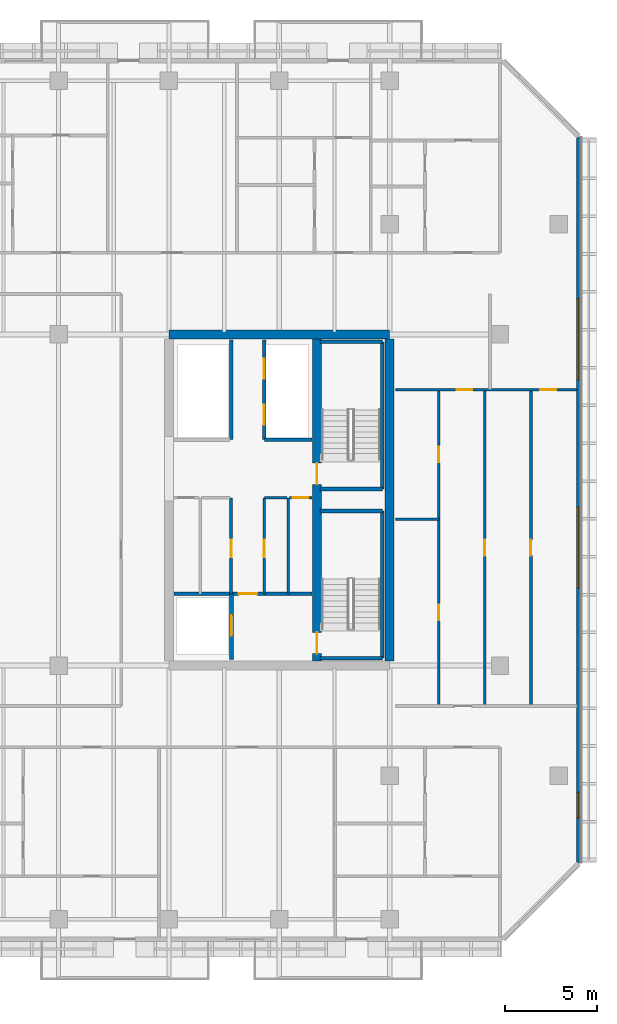
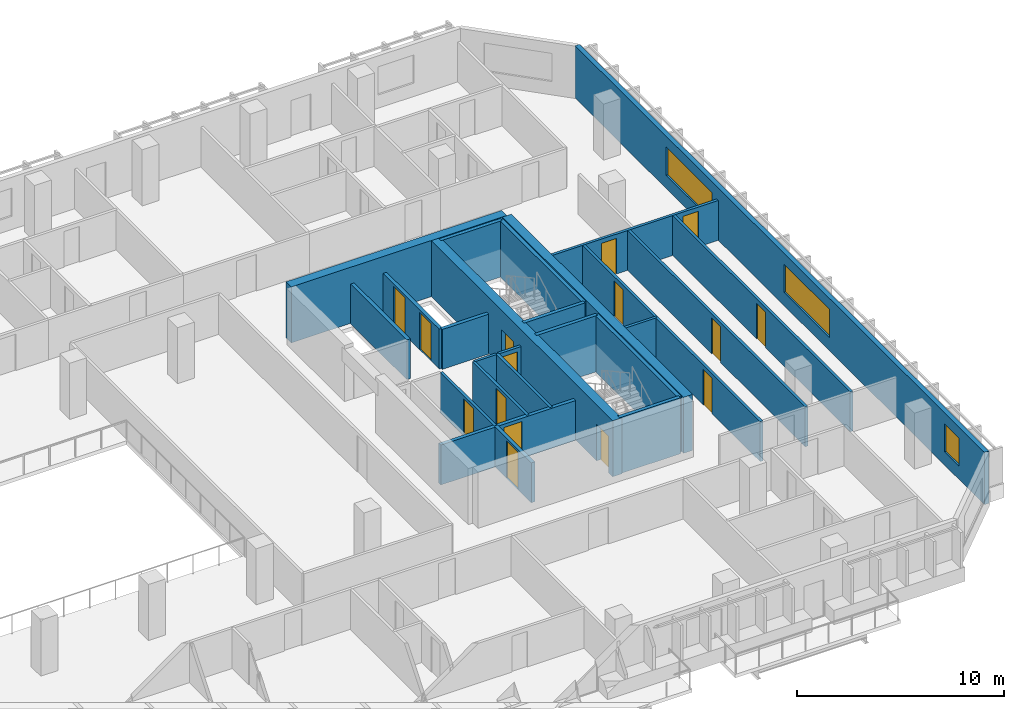
# One storey, part 15 of 23: 25 walls, 15 doors, 3 windows, 18 openings.
"""IFC4 building model written with IfcOpenShell, lengths in metres."""

from ifc_helpers import new_model, si_unit, direction, frame, frame_2d, origin, place, context, subcontext, project, spatial, rectangle, extrude, material, layer, layer_set, type_object, element, fill, save


model = new_model("IFC4")

# Units and contexts
model_context = context("Model", 3, precision=1e-05, world=origin(), true_north=direction((0.0, 1.0)))
body_context = subcontext(model_context, "Body", "Model", "MODEL_VIEW")
ifc_project = project(units=[si_unit("LENGTHUNIT", "METRE"), si_unit("AREAUNIT", "SQUARE_METRE"), si_unit("VOLUMEUNIT", "CUBIC_METRE"), si_unit("PLANEANGLEUNIT", "RADIAN"), si_unit("MASSUNIT", "GRAM", prefix="KILO")], contexts=[model_context])

# Site, building, storey
site_placement = place(None, origin())
site = spatial("IfcSite", under=ifc_project, at=site_placement, CompositionType="ELEMENT")
building_placement = place(site_placement, origin())
building = spatial("IfcBuilding", under=site, at=building_placement, Name="Tanjung Sevakor Pilgrim Tower", CompositionType="ELEMENT")
storey_placement = place(building_placement, frame((0.0, 0.0, 105.27001953125)))
storey = spatial("IfcBuildingStorey", under=building, at=storey_placement, Name="L29", CompositionType="ELEMENT", Elevation=105.27001953125)

# Walls
ifc_material_1 = material(Name="Concrete C60/75", Category="concrete")
ifc_layer_1 = layer(ifc_material_1, 0.5)
ifc_layer_set_1 = layer_set([ifc_layer_1], Name="WALL-CW-500")
wall_type_1 = type_object("IfcWallType", Name="WALL-CW-500", PredefinedType="SHEAR", material=ifc_layer_set_1)
wall_1_placement = place(storey_placement, frame((90.0, 42.60009765625, 0.0), z_axis=(0.0, 0.0, 1.0), x_axis=(-1.0, 0.0, 0.0)))
element("IfcWall", 1, at=wall_1_placement, inside=storey, type_object=wall_type_1, Name="L29 E Core North Shear Wall", PredefinedType="SHEAR", context=body_context, shape_type="SweptSolid", body=[
    extrude(rectangle(XDim=12.0, YDim=0.5, at=frame_2d((6.0, 0.0))), origin(), (0.0, 0.0, 1.0), 3.300048828125),
])
wall_2_placement = place(storey_placement, frame((90.0, 24.85009765625, 0.0), z_axis=(0.0, 0.0, 1.0), x_axis=(0.0, 1.0, 0.0)))
element("IfcWall", 2, at=wall_2_placement, inside=storey, type_object=wall_type_1, Name="L29 E Core Outer Shear Wall", PredefinedType="SHEAR", context=body_context, shape_type="SweptSolid", body=[
    extrude(rectangle(XDim=17.5, YDim=0.5, at=frame_2d((8.75, 0.0))), origin(), (0.0, 0.0, 1.0), 3.300048828125),
])

# Wall, openings, doors
wall_3_placement = place(storey_placement, frame((86.050048828125, 24.85009765625, 0.0), z_axis=(0.0, 0.0, 1.0), x_axis=(0.0, 1.0, 0.0)))
wall_3 = element("IfcWall", 3, at=wall_3_placement, inside=storey, type_object=wall_type_1, Name="L29 E Core Stair Spine Wall", PredefinedType="SHEAR", context=body_context, shape_type="SweptSolid", body=[
    extrude(rectangle(XDim=17.5, YDim=0.5, at=frame_2d((8.75, 0.0))), origin(), (0.0, 0.0, 1.0), 3.300048828125),
])
opening_1_placement = place(wall_3_placement, frame((0.39990234375, 0.0, 0.0)))
opening_1 = element("IfcOpeningElement", 4, at=opening_1_placement, cuts=wall_3, Name="Opening ID-ST1", PredefinedType="OPENING", context=body_context, shape_type="SweptSolid", body=[
    extrude(rectangle(XDim=1.14990234375, YDim=2.14990234375, at=frame_2d((0.574951171875, 1.074951171875))), frame((0.0, 0.260009765625, 0.0), z_axis=(0.0, -1.0, 0.0), x_axis=(1.0, 0.0, 0.0)), (0.0, 0.0, 1.0), 0.52001953125),
])
opening_2_placement = place(wall_3_placement, frame((9.60009765625, 0.0, 0.0)))
opening_2 = element("IfcOpeningElement", 5, at=opening_2_placement, cuts=wall_3, Name="Opening ID-ST1", PredefinedType="OPENING", context=body_context, shape_type="SweptSolid", body=[
    extrude(rectangle(XDim=1.14990234375, YDim=2.14990234375, at=frame_2d((0.574951171875, 1.074951171875))), frame((0.0, 0.260009765625, 0.0), z_axis=(0.0, -1.0, 0.0), x_axis=(1.0, 0.0, 0.0)), (0.0, 0.0, 1.0), 0.52001953125),
])
ifc_material_2 = material(Name="Fire-Rated Steel S355J2", Category="steel")
door_type_1 = type_object("IfcDoorType", Name="DT-FIRE-1150", OperationType="NOTDEFINED", PredefinedType="DOOR", material=ifc_material_2)
door_1_placement = place(opening_1_placement, origin())
door_1 = element("IfcDoor", 6, at=door_1_placement, inside=storey, type_object=door_type_1, Name="L29 TS-E1 Stair Fire Door", OperationType="SINGLE_SWING_RIGHT", OverallHeight=2.14990234375, OverallWidth=1.14990234375, PredefinedType="DOOR", context=body_context, shape_type="SweptSolid", body=[
    extrude(rectangle(XDim=1.14990234375, YDim=2.14990234375, at=frame_2d((0.574951171875, 1.074951171875))), frame((0.0, 0.02490234375, 0.0), z_axis=(0.0, -1.0, 0.0), x_axis=(1.0, 0.0, 0.0)), (0.0, 0.0, 1.0), 0.050048828125),
])
fill(opening_1, door_1)
door_2_placement = place(opening_2_placement, origin())
door_2 = element("IfcDoor", 7, at=door_2_placement, inside=storey, type_object=door_type_1, Name="L29 TS-E2 Stair Fire Door", OperationType="SINGLE_SWING_LEFT", OverallHeight=2.14990234375, OverallWidth=1.14990234375, PredefinedType="DOOR", context=body_context, shape_type="SweptSolid", body=[
    extrude(rectangle(XDim=1.14990234375, YDim=2.14990234375, at=frame_2d((0.574951171875, 1.074951171875))), frame((0.0, 0.02490234375, 0.0), z_axis=(0.0, -1.0, 0.0), x_axis=(1.0, 0.0, 0.0)), (0.0, 0.0, 1.0), 0.050048828125),
])
fill(opening_2, door_2)

# Wall
ifc_material_3 = material(Name="Concrete C40/50", Category="concrete")
ifc_layer_2 = layer(ifc_material_3, 0.14990234375)
ifc_layer_set_2 = layer_set([ifc_layer_2], Name="WT-COMP-150")
wall_type_2 = type_object("IfcWallType", Name="WT-COMP-150", PredefinedType="SOLIDWALL", material=ifc_layer_set_2)
wall_4_placement = place(storey_placement, frame((84.47998046875, 28.5, 0.0), z_axis=(0.0, 0.0, 1.0), x_axis=(0.0, 1.0, 0.0)))
element("IfcWall", 8, at=wall_4_placement, inside=storey, type_object=wall_type_2, Name="L29 Partition IW-L29-017", PredefinedType="SOLIDWALL", context=body_context, shape_type="SweptSolid", body=[
    extrude(rectangle(XDim=5.219970703125, YDim=0.14990234375, at=frame_2d((2.60986328125, 0.0))), origin(), (0.0, 0.0, 1.0), 2.35009765625),
])

# Wall, opening, door
wall_5_placement = place(storey_placement, frame((84.550048828125, 33.719970703125, 0.0), z_axis=(0.0, 0.0, 1.0), x_axis=(1.0, 0.0, 0.0)))
wall_5 = element("IfcWall", 9, at=wall_5_placement, inside=storey, type_object=wall_type_2, Name="L29 Partition IW-L29-018", PredefinedType="SOLIDWALL", context=body_context, shape_type="SweptSolid", body=[
    extrude(rectangle(XDim=1.22998046875, YDim=0.14990234375, at=frame_2d((0.614990234375, 0.0))), origin(), (0.0, 0.0, 1.0), 2.35009765625),
])
opening_3_placement = place(wall_5_placement, frame((0.179931640625, 0.0, 0.0)))
opening_3 = element("IfcOpeningElement", 10, at=opening_3_placement, cuts=wall_5, Name="Opening ID-FD3", PredefinedType="OPENING", context=body_context, shape_type="SweptSolid", body=[
    extrude(rectangle(XDim=0.85009765625, YDim=2.10009765625, at=frame_2d((0.425048828125, 1.050048828125))), frame((0.0, 0.0849609375, 0.0), z_axis=(0.0, -1.0, 0.0), x_axis=(1.0, 0.0, 0.0)), (0.0, 0.0, 1.0), 0.169921875),
])
ifc_material_4 = material(Name="Fire-Rated Timber", Category="wood")
door_type_2 = type_object("IfcDoorType", Name="DT-FIRE-850", OperationType="NOTDEFINED", PredefinedType="DOOR", material=ifc_material_4)
door_3_placement = place(opening_3_placement, origin())
door_3 = element("IfcDoor", 11, at=door_3_placement, inside=storey, type_object=door_type_2, Name="L29 Cleaner Store Door", OperationType="SINGLE_SWING_LEFT", OverallHeight=2.10009765625, OverallWidth=0.85009765625, PredefinedType="DOOR", context=body_context, shape_type="SweptSolid", body=[
    extrude(rectangle(XDim=0.85009765625, YDim=2.10009765625, at=frame_2d((0.425048828125, 1.050048828125))), frame((0.0, 0.02490234375, 0.0), z_axis=(0.0, -1.0, 0.0), x_axis=(1.0, 0.0, 0.0)), (0.0, 0.0, 1.0), 0.050048828125),
])
fill(opening_3, door_3)

# Wall
wall_6_placement = place(storey_placement, frame((83.199951171875, 33.719970703125, 0.0), z_axis=(0.0, 0.0, 1.0), x_axis=(1.0, 0.0, 0.0)))
element("IfcWall", 12, at=wall_6_placement, inside=storey, type_object=wall_type_2, Name="L29 Partition IW-L29-019", PredefinedType="SOLIDWALL", context=body_context, shape_type="SweptSolid", body=[
    extrude(rectangle(XDim=1.219970703125, YDim=0.14990234375, at=frame_2d((0.60986328125, 0.0))), origin(), (0.0, 0.0, 1.0), 2.35009765625),
])

# Wall, opening, door
wall_7_placement = place(storey_placement, frame((83.179931640625, 28.5, 0.0), z_axis=(0.0, 0.0, 1.0), x_axis=(0.0, 1.0, 0.0)))
wall_7 = element("IfcWall", 13, at=wall_7_placement, inside=storey, type_object=wall_type_2, Name="L29 Partition IW-L29-020", PredefinedType="SOLIDWALL", context=body_context, shape_type="SweptSolid", body=[
    extrude(rectangle(XDim=5.219970703125, YDim=0.14990234375, at=frame_2d((2.60986328125, 0.0))), origin(), (0.0, 0.0, 1.0), 2.35009765625),
])
opening_4_placement = place(wall_7_placement, frame((2.0, 0.0, 0.0)))
opening_4 = element("IfcOpeningElement", 14, at=opening_4_placement, cuts=wall_7, Name="Opening ID-FD2", PredefinedType="OPENING", context=body_context, shape_type="SweptSolid", body=[
    extrude(rectangle(XDim=0.949951171875, YDim=2.14990234375, at=frame_2d((0.47509765625, 1.074951171875))), frame((0.0, 0.0849609375, 0.0), z_axis=(0.0, -1.0, 0.0), x_axis=(1.0, 0.0, 0.0)), (0.0, 0.0, 1.0), 0.169921875),
])
ifc_material_5 = material(Name="Fire-Rated Timber", Category="wood")
door_type_3 = type_object("IfcDoorType", Name="DT-FIRE-950", OperationType="NOTDEFINED", PredefinedType="DOOR", material=ifc_material_5)
door_4_placement = place(opening_4_placement, origin())
door_4 = element("IfcDoor", 15, at=door_4_placement, inside=storey, type_object=door_type_3, Name="L29 Housekeeping Pantry Door", OperationType="SINGLE_SWING_RIGHT", OverallHeight=2.14990234375, OverallWidth=0.949951171875, PredefinedType="DOOR", context=body_context, shape_type="SweptSolid", body=[
    extrude(rectangle(XDim=0.949951171875, YDim=2.14990234375, at=frame_2d((0.47509765625, 1.074951171875))), frame((0.0, 0.02490234375, 0.0), z_axis=(0.0, -1.0, 0.0), x_axis=(1.0, 0.0, 0.0)), (0.0, 0.0, 1.0), 0.050048828125),
])
fill(opening_4, door_4)

wall_8_placement = place(storey_placement, frame((81.3798828125, 28.5, 0.0), z_axis=(0.0, 0.0, 1.0), x_axis=(0.0, 1.0, 0.0)))
wall_8 = element("IfcWall", 16, at=wall_8_placement, inside=storey, type_object=wall_type_2, Name="L29 Partition IW-L29-024", PredefinedType="SOLIDWALL", context=body_context, shape_type="SweptSolid", body=[
    extrude(rectangle(XDim=5.219970703125, YDim=0.14990234375, at=frame_2d((2.60986328125, 0.0))), origin(), (0.0, 0.0, 1.0), 2.35009765625),
])
opening_5_placement = place(wall_8_placement, frame((2.0, 0.0, 0.0)))
opening_5 = element("IfcOpeningElement", 17, at=opening_5_placement, cuts=wall_8, Name="Opening ID-FD2", PredefinedType="OPENING", context=body_context, shape_type="SweptSolid", body=[
    extrude(rectangle(XDim=0.949951171875, YDim=2.14990234375, at=frame_2d((0.47509765625, 1.074951171875))), frame((0.0, 0.0849609375, 0.0), z_axis=(0.0, -1.0, 0.0), x_axis=(1.0, 0.0, 0.0)), (0.0, 0.0, 1.0), 0.169921875),
])
door_5_placement = place(opening_5_placement, origin())
door_5 = element("IfcDoor", 18, at=door_5_placement, inside=storey, type_object=door_type_3, Name="L29 Accessible WC Door", OperationType="SINGLE_SWING_RIGHT", OverallHeight=2.14990234375, OverallWidth=0.949951171875, PredefinedType="DOOR", context=body_context, shape_type="SweptSolid", body=[
    extrude(rectangle(XDim=0.949951171875, YDim=2.14990234375, at=frame_2d((0.47509765625, 1.074951171875))), frame((0.0, 0.02490234375, 0.0), z_axis=(0.0, -1.0, 0.0), x_axis=(1.0, 0.0, 0.0)), (0.0, 0.0, 1.0), 0.050048828125),
])
fill(opening_5, door_5)

# Wall, openings, windows
ifc_material_6 = material(Name="Precast concrete C45/55", Category="concrete")
ifc_layer_3 = layer(ifc_material_6, 0.25)
ifc_layer_set_3 = layer_set([ifc_layer_3], Name="WT-EW-STN3")
wall_type_3 = type_object("IfcWallType", Name="WT-EW-STN3", PredefinedType="SOLIDWALL", material=ifc_layer_set_3)
wall_9_placement = place(storey_placement, frame((100.27490234375, 13.851806640625, 0.0), z_axis=(0.0, 0.0, 1.0), x_axis=(0.0, 1.0, 0.0)))
wall_9 = element("IfcWall", 19, at=wall_9_placement, inside=storey, type_object=wall_type_3, Name="L29 MAIN Exterior Wall 7", PredefinedType="SOLIDWALL", context=body_context, shape_type="SweptSolid", body=[
    extrude(rectangle(XDim=39.496337890625, YDim=0.25, at=frame_2d((19.748046875, 0.0))), origin(), (0.0, 0.0, 1.0), 3.080078125),
])
opening_6_placement = place(wall_9_placement, frame((14.958251953125, 0.0, 0.780029296875)))
opening_6 = element("IfcOpeningElement", 20, at=opening_6_placement, cuts=wall_9, Name="Opening WN-ENDW-1660", PredefinedType="OPENING", context=body_context, shape_type="SweptSolid", body=[
    extrude(rectangle(XDim=4.39990234375, YDim=1.659912109375, at=frame_2d((2.199951171875, 0.830078125))), frame((0.0, 0.135009765625, 0.0), z_axis=(0.0, -1.0, 0.0), x_axis=(1.0, 0.0, 0.0)), (0.0, 0.0, 1.0), 0.27001953125),
])
opening_7_placement = place(wall_9_placement, frame((26.298095703125, 0.0, 0.780029296875)))
opening_7 = element("IfcOpeningElement", 21, at=opening_7_placement, cuts=wall_9, Name="Opening WN-ENDW-1660", PredefinedType="OPENING", context=body_context, shape_type="SweptSolid", body=[
    extrude(rectangle(XDim=4.39990234375, YDim=1.659912109375, at=frame_2d((2.199951171875, 0.830078125))), frame((0.0, 0.135009765625, 0.0), z_axis=(0.0, -1.0, 0.0), x_axis=(1.0, 0.0, 0.0)), (0.0, 0.0, 1.0), 0.27001953125),
])
opening_8_placement = place(wall_9_placement, frame((2.4541015625, 0.0, 0.780029296875)))
opening_8 = element("IfcOpeningElement", 22, at=opening_8_placement, cuts=wall_9, Name="Opening WN-END", PredefinedType="OPENING", context=body_context, shape_type="SweptSolid", body=[
    extrude(rectangle(XDim=1.39990234375, YDim=1.64990234375, at=frame_2d((0.699951171875, 0.824951171875))), frame((0.0, 0.135009765625, 0.0), z_axis=(0.0, -1.0, 0.0), x_axis=(1.0, 0.0, 0.0)), (0.0, 0.0, 1.0), 0.27001953125),
])
ifc_material_7 = material(Name="Thermally Broken Aluminium and Low-E Glass", Category="aluminium")
window_type_1 = type_object("IfcWindowType", Name="WTYP-WN-END", PartitioningType="SINGLE_PANEL", PredefinedType="WINDOW", material=ifc_material_7)
window_1_placement = place(opening_8_placement, origin())
window_1 = element("IfcWindow", 23, at=window_1_placement, inside=storey, type_object=window_type_1, Name="L29 Facade Window 03", OverallHeight=1.64990234375, OverallWidth=1.39990234375, PartitioningType="SINGLE_PANEL", PredefinedType="WINDOW", context=body_context, shape_type="SweptSolid", body=[
    extrude(rectangle(XDim=1.39990234375, YDim=1.64990234375, at=frame_2d((0.699951171875, 0.824951171875))), frame((0.0, 0.030029296875, 0.0), z_axis=(0.0, -1.0, 0.0), x_axis=(1.0, 0.0, 0.0)), (0.0, 0.0, 1.0), 0.06005859375),
])
fill(opening_8, window_1)
ifc_material_8 = material(Name="Thermally Broken Aluminium and Low-E Glass", Category="aluminium")
window_type_2 = type_object("IfcWindowType", Name="WTYP-WN-ENDW-1660", PartitioningType="DOUBLE_PANEL_VERTICAL", PredefinedType="WINDOW", material=ifc_material_8)
window_2_placement = place(opening_6_placement, origin())
window_2 = element("IfcWindow", 24, at=window_2_placement, inside=storey, type_object=window_type_2, Name="L29 Facade Window 01", OverallHeight=1.659912109375, OverallWidth=4.39990234375, PartitioningType="SINGLE_PANEL", PredefinedType="WINDOW", context=body_context, shape_type="SweptSolid", body=[
    extrude(rectangle(XDim=4.39990234375, YDim=1.659912109375, at=frame_2d((2.199951171875, 0.830078125))), frame((0.0, 0.030029296875, 0.0), z_axis=(0.0, -1.0, 0.0), x_axis=(1.0, 0.0, 0.0)), (0.0, 0.0, 1.0), 0.06005859375),
])
fill(opening_6, window_2)
window_3_placement = place(opening_7_placement, origin())
window_3 = element("IfcWindow", 25, at=window_3_placement, inside=storey, type_object=window_type_2, Name="L29 Facade Window 02", OverallHeight=1.659912109375, OverallWidth=4.39990234375, PartitioningType="SINGLE_PANEL", PredefinedType="WINDOW", context=body_context, shape_type="SweptSolid", body=[
    extrude(rectangle(XDim=4.39990234375, YDim=1.659912109375, at=frame_2d((2.199951171875, 0.830078125))), frame((0.0, 0.030029296875, 0.0), z_axis=(0.0, -1.0, 0.0), x_axis=(1.0, 0.0, 0.0)), (0.0, 0.0, 1.0), 0.06005859375),
])
fill(opening_7, window_3)

# Walls
ifc_material_9 = material(Name="Concrete C40/50", Category="concrete")
ifc_layer_4 = layer(ifc_material_9, 0.199951171875)
ifc_layer_set_4 = layer_set([ifc_layer_4], Name="WT-FIRE-200")
wall_type_4 = type_object("IfcWallType", Name="WT-FIRE-200", PredefinedType="SOLIDWALL", material=ifc_layer_set_4)
wall_10_placement = place(storey_placement, frame((86.199951171875, 25.0, 0.0), z_axis=(0.0, 0.0, 1.0), x_axis=(1.0, 0.0, 0.0)))
element("IfcWall", 26, at=wall_10_placement, inside=storey, type_object=wall_type_4, Name="L29 TS-E1 Shaft Wall 1", PredefinedType="SOLIDWALL", context=body_context, shape_type="SweptSolid", body=[
    extrude(rectangle(XDim=3.400146484375, YDim=0.199951171875, at=frame_2d((1.7001953125, 0.0))), origin(), (0.0, 0.0, 1.0), 3.300048828125),
])
wall_11_placement = place(storey_placement, frame((89.60009765625, 25.0, 0.0), z_axis=(0.0, 0.0, 1.0), x_axis=(0.0, 1.0, 0.0)))
element("IfcWall", 27, at=wall_11_placement, inside=storey, type_object=wall_type_4, Name="L29 TS-E1 Shaft Wall 2", PredefinedType="SOLIDWALL", context=body_context, shape_type="SweptSolid", body=[
    extrude(rectangle(XDim=8.0, YDim=0.199951171875, at=frame_2d((4.0, 0.0))), origin(), (0.0, 0.0, 1.0), 3.300048828125),
])
for number, where, z_axis, x_axis, name in (
    (28, (89.60009765625, 33.0, 0.0), (0.0, 0.0, 1.0), (-1.0, 0.0, 0.0), "L29 TS-E1 Shaft Wall 3"),
    (29, (86.199951171875, 34.199951171875, 0.0), (0.0, 0.0, 1.0), (1.0, 0.0, 0.0), "L29 TS-E2 Shaft Wall 1"),
):
    element("IfcWall", number, at=place(storey_placement, frame(where, z_axis=z_axis, x_axis=x_axis)), inside=storey, type_object=wall_type_4, Name=name, PredefinedType="SOLIDWALL", context=body_context, shape_type="SweptSolid", body=[
        extrude(rectangle(XDim=3.400146484375, YDim=0.199951171875, at=frame_2d((1.7001953125, 0.0))), origin(), (0.0, 0.0, 1.0), 3.300048828125),
    ])
wall_12_placement = place(storey_placement, frame((89.60009765625, 34.199951171875, 0.0), z_axis=(0.0, 0.0, 1.0), x_axis=(0.0, 1.0, 0.0)))
element("IfcWall", 30, at=wall_12_placement, inside=storey, type_object=wall_type_4, Name="L29 TS-E2 Shaft Wall 2", PredefinedType="SOLIDWALL", context=body_context, shape_type="SweptSolid", body=[
    extrude(rectangle(XDim=8.0, YDim=0.199951171875, at=frame_2d((4.0, 0.0))), origin(), (0.0, 0.0, 1.0), 3.300048828125),
])
wall_13_placement = place(storey_placement, frame((89.60009765625, 42.199951171875, 0.0), z_axis=(0.0, 0.0, 1.0), x_axis=(-1.0, 0.0, 0.0)))
element("IfcWall", 31, at=wall_13_placement, inside=storey, type_object=wall_type_4, Name="L29 TS-E2 Shaft Wall 3", PredefinedType="SOLIDWALL", context=body_context, shape_type="SweptSolid", body=[
    extrude(rectangle(XDim=3.400146484375, YDim=0.199951171875, at=frame_2d((1.7001953125, 0.0))), origin(), (0.0, 0.0, 1.0), 3.300048828125),
])

# Wall, opening, door
ifc_material_10 = material(Name="Concrete C40/50", Category="concrete")
ifc_layer_5 = layer(ifc_material_10, 0.199951171875)
ifc_layer_set_5 = layer_set([ifc_layer_5], Name="WT-FPRT-200")
wall_type_5 = type_object("IfcWallType", Name="WT-FPRT-200", PredefinedType="SOLIDWALL", material=ifc_layer_set_5)
wall_14_placement = place(storey_placement, frame((81.39990234375, 24.919921875, 0.0), z_axis=(0.0, 0.0, 1.0), x_axis=(0.0, 1.0, 0.0)))
wall_14 = element("IfcWall", 32, at=wall_14_placement, inside=storey, type_object=wall_type_5, Name="L29 Partition IW-L29-015", PredefinedType="SOLIDWALL", context=body_context, shape_type="SweptSolid", body=[
    extrude(rectangle(XDim=3.580078125, YDim=0.199951171875, at=frame_2d((1.7900390625, 0.0))), origin(), (0.0, 0.0, 1.0), 2.35009765625),
])
opening_9_placement = place(wall_14_placement, frame((1.300048828125, 0.0, 0.0)))
opening_9 = element("IfcOpeningElement", 33, at=opening_9_placement, cuts=wall_14, Name="Opening LD-1100", PredefinedType="OPENING", context=body_context, shape_type="SweptSolid", body=[
    extrude(rectangle(XDim=1.10009765625, YDim=2.199951171875, at=frame_2d((0.550048828125, 1.10009765625))), frame((0.0, 0.10986328125, 0.0), z_axis=(0.0, -1.0, 0.0), x_axis=(1.0, 0.0, 0.0)), (0.0, 0.0, 1.0), 0.219970703125),
])
ifc_material_11 = material(Name="Brushed Stainless Steel S355J2", Category="steel")
door_type_4 = type_object("IfcDoorType", Name="DT-LIFT-1100", OperationType="SLIDING_TO_LEFT", PredefinedType="DOOR", material=ifc_material_11)
door_6_placement = place(opening_9_placement, origin())
door_6 = element("IfcDoor", 34, at=door_6_placement, inside=storey, type_object=door_type_4, Name="LD-FL-E", OperationType="SLIDING_TO_LEFT", OverallHeight=2.199951171875, OverallWidth=1.10009765625, PredefinedType="DOOR", context=body_context, shape_type="SweptSolid", body=[
    extrude(rectangle(XDim=1.10009765625, YDim=2.199951171875, at=frame_2d((0.550048828125, 1.10009765625))), frame((0.0, 0.02490234375, 0.0), z_axis=(0.0, -1.0, 0.0), x_axis=(1.0, 0.0, 0.0)), (0.0, 0.0, 1.0), 0.050048828125),
])
fill(opening_9, door_6)

wall_15_placement = place(storey_placement, frame((78.27001953125, 28.5, 0.0), z_axis=(0.0, 0.0, 1.0), x_axis=(1.0, 0.0, 0.0)))
wall_15 = element("IfcWall", 35, at=wall_15_placement, inside=storey, type_object=wall_type_5, Name="L29 Partition IW-L29-016", PredefinedType="SOLIDWALL", context=body_context, shape_type="SweptSolid", body=[
    extrude(rectangle(XDim=7.510009765625, YDim=0.199951171875, at=frame_2d((3.7548828125, 0.0))), origin(), (0.0, 0.0, 1.0), 2.35009765625),
])
opening_10_placement = place(wall_15_placement, frame((3.530029296875, 0.0, 0.0)))
opening_10 = element("IfcOpeningElement", 36, at=opening_10_placement, cuts=wall_15, Name="Opening ID-FD1", PredefinedType="OPENING", context=body_context, shape_type="SweptSolid", body=[
    extrude(rectangle(XDim=1.0, YDim=2.14990234375, at=frame_2d((0.5, 1.074951171875))), frame((0.0, 0.10986328125, 0.0), z_axis=(0.0, -1.0, 0.0), x_axis=(1.0, 0.0, 0.0)), (0.0, 0.0, 1.0), 0.219970703125),
])
ifc_material_12 = material(Name="Fire-Rated Steel S355J2", Category="steel")
door_type_5 = type_object("IfcDoorType", Name="DT-FIRE-1000", OperationType="NOTDEFINED", PredefinedType="DOOR", material=ifc_material_12)
door_7_placement = place(opening_10_placement, origin())
door_7 = element("IfcDoor", 37, at=door_7_placement, inside=storey, type_object=door_type_5, Name="Fire Lobby Door E", OperationType="SINGLE_SWING_RIGHT", OverallHeight=2.14990234375, OverallWidth=1.0, PredefinedType="DOOR", context=body_context, shape_type="SweptSolid", body=[
    extrude(rectangle(XDim=1.0, YDim=2.14990234375, at=frame_2d((0.5, 1.074951171875))), frame((0.0, 0.02490234375, 0.0), z_axis=(0.0, -1.0, 0.0), x_axis=(1.0, 0.0, 0.0)), (0.0, 0.0, 1.0), 0.050048828125),
])
fill(opening_10, door_7)

# Wall
wall_16_placement = place(storey_placement, frame((83.199951171875, 36.8798828125, 0.0), z_axis=(0.0, 0.0, 1.0), x_axis=(1.0, 0.0, 0.0)))
element("IfcWall", 38, at=wall_16_placement, inside=storey, type_object=wall_type_5, Name="L29 Partition IW-L29-025", PredefinedType="SOLIDWALL", context=body_context, shape_type="SweptSolid", body=[
    extrude(rectangle(XDim=2.580078125, YDim=0.199951171875, at=frame_2d((1.2900390625, 0.0))), origin(), (0.0, 0.0, 1.0), 2.35009765625),
])

# Wall, openings, doors
wall_17_placement = place(storey_placement, frame((83.179931640625, 36.8798828125, 0.0), z_axis=(0.0, 0.0, 1.0), x_axis=(0.0, 1.0, 0.0)))
wall_17 = element("IfcWall", 39, at=wall_17_placement, inside=storey, type_object=wall_type_5, Name="L29 Partition IW-L29-026", PredefinedType="SOLIDWALL", context=body_context, shape_type="SweptSolid", body=[
    extrude(rectangle(XDim=5.420166015625, YDim=0.199951171875, at=frame_2d((2.7099609375, 0.0))), origin(), (0.0, 0.0, 1.0), 2.35009765625),
])
opening_11_placement = place(wall_17_placement, frame((0.800048828125, 0.0, 0.0)))
opening_11 = element("IfcOpeningElement", 40, at=opening_11_placement, cuts=wall_17, Name="Opening LD-1100", PredefinedType="OPENING", context=body_context, shape_type="SweptSolid", body=[
    extrude(rectangle(XDim=1.10009765625, YDim=2.199951171875, at=frame_2d((0.550048828125, 1.10009765625))), frame((0.0, 0.10986328125, 0.0), z_axis=(0.0, -1.0, 0.0), x_axis=(1.0, 0.0, 0.0)), (0.0, 0.0, 1.0), 0.219970703125),
])
opening_12_placement = place(wall_17_placement, frame((3.300048828125, 0.0, 0.0)))
opening_12 = element("IfcOpeningElement", 41, at=opening_12_placement, cuts=wall_17, Name="Opening LD-1100", PredefinedType="OPENING", context=body_context, shape_type="SweptSolid", body=[
    extrude(rectangle(XDim=1.10009765625, YDim=2.199951171875, at=frame_2d((0.550048828125, 1.10009765625))), frame((0.0, 0.10986328125, 0.0), z_axis=(0.0, -1.0, 0.0), x_axis=(1.0, 0.0, 0.0)), (0.0, 0.0, 1.0), 0.219970703125),
])
door_8_placement = place(opening_11_placement, origin())
door_8 = element("IfcDoor", 42, at=door_8_placement, inside=storey, type_object=door_type_4, Name="LD-PLM1-E", OperationType="SLIDING_TO_LEFT", OverallHeight=2.199951171875, OverallWidth=1.10009765625, PredefinedType="DOOR", context=body_context, shape_type="SweptSolid", body=[
    extrude(rectangle(XDim=1.10009765625, YDim=2.199951171875, at=frame_2d((0.550048828125, 1.10009765625))), frame((0.0, 0.02490234375, 0.0), z_axis=(0.0, -1.0, 0.0), x_axis=(1.0, 0.0, 0.0)), (0.0, 0.0, 1.0), 0.050048828125),
])
fill(opening_11, door_8)
door_9_placement = place(opening_12_placement, origin())
door_9 = element("IfcDoor", 43, at=door_9_placement, inside=storey, type_object=door_type_4, Name="LD-PLM2-E", OperationType="SLIDING_TO_RIGHT", OverallHeight=2.199951171875, OverallWidth=1.10009765625, PredefinedType="DOOR", context=body_context, shape_type="SweptSolid", body=[
    extrude(rectangle(XDim=1.10009765625, YDim=2.199951171875, at=frame_2d((0.550048828125, 1.10009765625))), frame((0.0, 0.02490234375, 0.0), z_axis=(0.0, -1.0, 0.0), x_axis=(1.0, 0.0, 0.0)), (0.0, 0.0, 1.0), 0.050048828125),
])
fill(opening_12, door_9)

# Wall
wall_18_placement = place(storey_placement, frame((81.3798828125, 36.8798828125, 0.0), z_axis=(0.0, 0.0, 1.0), x_axis=(0.0, 1.0, 0.0)))
element("IfcWall", 44, at=wall_18_placement, inside=storey, type_object=wall_type_5, Name="L29 Partition IW-L29-028", PredefinedType="SOLIDWALL", context=body_context, shape_type="SweptSolid", body=[
    extrude(rectangle(XDim=5.420166015625, YDim=0.199951171875, at=frame_2d((2.7099609375, 0.0))), origin(), (0.0, 0.0, 1.0), 2.35009765625),
])

# Wall, opening, door
ifc_material_13 = material(Name="Gypsum Board Partition", Category="gypsum board")
ifc_layer_6 = layer(ifc_material_13, 0.14990234375)
ifc_layer_set_6 = layer_set([ifc_layer_6], Name="WT-PART-150")
wall_type_6 = type_object("IfcWallType", Name="WT-PART-150", PredefinedType="PARTITIONING", material=ifc_layer_set_6)
wall_19_placement = place(storey_placement, frame((95.1767578125, 22.39990234375, 0.0), z_axis=(0.0, 0.0, 1.0), x_axis=(0.0, 1.0, 0.0)))
wall_19 = element("IfcWall", 45, at=wall_19_placement, inside=storey, type_object=wall_type_6, Name="L29 Partition IW-L29-038", PredefinedType="PARTITIONING", context=body_context, shape_type="SweptSolid", body=[
    extrude(rectangle(XDim=17.2001953125, YDim=0.14990234375, at=frame_2d((8.60009765625, 0.0))), origin(), (0.0, 0.0, 1.0), 2.35009765625),
])
opening_13_placement = place(wall_19_placement, frame((8.175048828125, 0.0, 0.0)))
opening_13 = element("IfcOpeningElement", 46, at=opening_13_placement, cuts=wall_19, Name="Opening ID-WC1", PredefinedType="OPENING", context=body_context, shape_type="SweptSolid", body=[
    extrude(rectangle(XDim=0.85009765625, YDim=2.10009765625, at=frame_2d((0.425048828125, 1.050048828125))), frame((0.0, 0.0849609375, 0.0), z_axis=(0.0, -1.0, 0.0), x_axis=(1.0, 0.0, 0.0)), (0.0, 0.0, 1.0), 0.169921875),
])
ifc_material_14 = material(Name="Moisture-Resistant Timber", Category="wood")
door_type_6 = type_object("IfcDoorType", Name="DT-INT-850", OperationType="NOTDEFINED", PredefinedType="DOOR", material=ifc_material_14)
door_10_placement = place(opening_13_placement, origin())
door_10 = element("IfcDoor", 47, at=door_10_placement, inside=storey, type_object=door_type_6, Name="Suite Study Room Door", OperationType="SINGLE_SWING_RIGHT", OverallHeight=2.10009765625, OverallWidth=0.85009765625, PredefinedType="DOOR", context=body_context, shape_type="SweptSolid", body=[
    extrude(rectangle(XDim=0.85009765625, YDim=2.10009765625, at=frame_2d((0.425048828125, 1.050048828125))), frame((0.0, 0.02490234375, 0.0), z_axis=(0.0, -1.0, 0.0), x_axis=(1.0, 0.0, 0.0)), (0.0, 0.0, 1.0), 0.050048828125),
])
fill(opening_13, door_10)

wall_20_placement = place(storey_placement, frame((97.683349609375, 22.39990234375, 0.0), z_axis=(0.0, 0.0, 1.0), x_axis=(0.0, 1.0, 0.0)))
wall_20 = element("IfcWall", 48, at=wall_20_placement, inside=storey, type_object=wall_type_6, Name="L29 Partition IW-L29-039", PredefinedType="PARTITIONING", context=body_context, shape_type="SweptSolid", body=[
    extrude(rectangle(XDim=17.2001953125, YDim=0.14990234375, at=frame_2d((8.60009765625, 0.0))), origin(), (0.0, 0.0, 1.0), 2.35009765625),
])
opening_14_placement = place(wall_20_placement, frame((8.175048828125, 0.0, 0.0)))
opening_14 = element("IfcOpeningElement", 49, at=opening_14_placement, cuts=wall_20, Name="Opening ID-WC1", PredefinedType="OPENING", context=body_context, shape_type="SweptSolid", body=[
    extrude(rectangle(XDim=0.85009765625, YDim=2.10009765625, at=frame_2d((0.425048828125, 1.050048828125))), frame((0.0, 0.0849609375, 0.0), z_axis=(0.0, -1.0, 0.0), x_axis=(1.0, 0.0, 0.0)), (0.0, 0.0, 1.0), 0.169921875),
])
door_11_placement = place(opening_14_placement, origin())
door_11 = element("IfcDoor", 50, at=door_11_placement, inside=storey, type_object=door_type_6, Name="Suite Reading Room Door", OperationType="SINGLE_SWING_LEFT", OverallHeight=2.10009765625, OverallWidth=0.85009765625, PredefinedType="DOOR", context=body_context, shape_type="SweptSolid", body=[
    extrude(rectangle(XDim=0.85009765625, YDim=2.10009765625, at=frame_2d((0.425048828125, 1.050048828125))), frame((0.0, 0.02490234375, 0.0), z_axis=(0.0, -1.0, 0.0), x_axis=(1.0, 0.0, 0.0)), (0.0, 0.0, 1.0), 0.050048828125),
])
fill(opening_14, door_11)

# Wall
wall_21_placement = place(storey_placement, frame((90.320068359375, 32.548095703125, 0.0), z_axis=(0.0, 0.0, 1.0), x_axis=(1.0, 0.0, 0.0)))
element("IfcWall", 51, at=wall_21_placement, inside=storey, type_object=wall_type_6, Name="L29 Partition IW-L29-040", PredefinedType="PARTITIONING", context=body_context, shape_type="SweptSolid", body=[
    extrude(rectangle(XDim=2.349853515625, YDim=0.14990234375, at=frame_2d((1.1748046875, 0.0))), origin(), (0.0, 0.0, 1.0), 2.35009765625),
])

# Wall, openings, doors
wall_22_placement = place(storey_placement, frame((92.669921875, 22.39990234375, 0.0), z_axis=(0.0, 0.0, 1.0), x_axis=(0.0, 1.0, 0.0)))
wall_22 = element("IfcWall", 52, at=wall_22_placement, inside=storey, type_object=wall_type_6, Name="L29 Partition IW-L29-041", PredefinedType="PARTITIONING", context=body_context, shape_type="SweptSolid", body=[
    extrude(rectangle(XDim=17.2001953125, YDim=0.14990234375, at=frame_2d((8.60009765625, 0.0))), origin(), (0.0, 0.0, 1.0), 2.35009765625),
])
opening_15_placement = place(wall_22_placement, frame((4.64892578125, 0.0, 0.0)))
opening_15 = element("IfcOpeningElement", 53, at=opening_15_placement, cuts=wall_22, Name="Opening ID-WC1", PredefinedType="OPENING", context=body_context, shape_type="SweptSolid", body=[
    extrude(rectangle(XDim=0.85009765625, YDim=2.10009765625, at=frame_2d((0.425048828125, 1.050048828125))), frame((0.0, 0.0849609375, 0.0), z_axis=(0.0, -1.0, 0.0), x_axis=(1.0, 0.0, 0.0)), (0.0, 0.0, 1.0), 0.169921875),
])
opening_16_placement = place(wall_22_placement, frame((13.2490234375, 0.0, 0.0)))
opening_16 = element("IfcOpeningElement", 54, at=opening_16_placement, cuts=wall_22, Name="Opening ID-WC1", PredefinedType="OPENING", context=body_context, shape_type="SweptSolid", body=[
    extrude(rectangle(XDim=0.85009765625, YDim=2.10009765625, at=frame_2d((0.425048828125, 1.050048828125))), frame((0.0, 0.0849609375, 0.0), z_axis=(0.0, -1.0, 0.0), x_axis=(1.0, 0.0, 0.0)), (0.0, 0.0, 1.0), 0.169921875),
])
door_12_placement = place(opening_15_placement, origin())
door_12 = element("IfcDoor", 55, at=door_12_placement, inside=storey, type_object=door_type_6, Name="Suite Kitchenette Door", OperationType="SINGLE_SWING_RIGHT", OverallHeight=2.10009765625, OverallWidth=0.85009765625, PredefinedType="DOOR", context=body_context, shape_type="SweptSolid", body=[
    extrude(rectangle(XDim=0.85009765625, YDim=2.10009765625, at=frame_2d((0.425048828125, 1.050048828125))), frame((0.0, 0.02490234375, 0.0), z_axis=(0.0, -1.0, 0.0), x_axis=(1.0, 0.0, 0.0)), (0.0, 0.0, 1.0), 0.050048828125),
])
fill(opening_15, door_12)
door_13_placement = place(opening_16_placement, origin())
door_13 = element("IfcDoor", 56, at=door_13_placement, inside=storey, type_object=door_type_6, Name="Suite Bathroom Door", OperationType="SINGLE_SWING_LEFT", OverallHeight=2.10009765625, OverallWidth=0.85009765625, PredefinedType="DOOR", context=body_context, shape_type="SweptSolid", body=[
    extrude(rectangle(XDim=0.85009765625, YDim=2.10009765625, at=frame_2d((0.425048828125, 1.050048828125))), frame((0.0, 0.02490234375, 0.0), z_axis=(0.0, -1.0, 0.0), x_axis=(1.0, 0.0, 0.0)), (0.0, 0.0, 1.0), 0.050048828125),
])
fill(opening_16, door_13)

wall_23_placement = place(storey_placement, frame((90.320068359375, 39.60009765625, 0.0), z_axis=(0.0, 0.0, 1.0), x_axis=(1.0, 0.0, 0.0)))
wall_23 = element("IfcWall", 57, at=wall_23_placement, inside=storey, type_object=wall_type_6, Name="L29 Partition IW-L29-043", PredefinedType="PARTITIONING", context=body_context, shape_type="SweptSolid", body=[
    extrude(rectangle(XDim=9.869873046875, YDim=0.14990234375, at=frame_2d((4.93505859375, 0.0))), origin(), (0.0, 0.0, 1.0), 2.35009765625),
])
opening_17_placement = place(wall_23_placement, frame((3.316162109375, 0.0, 0.0)))
opening_17 = element("IfcOpeningElement", 58, at=opening_17_placement, cuts=wall_23, Name="Opening ID-WC1", PredefinedType="OPENING", context=body_context, shape_type="SweptSolid", body=[
    extrude(rectangle(XDim=0.85009765625, YDim=2.10009765625, at=frame_2d((0.425048828125, 1.050048828125))), frame((0.0, 0.0849609375, 0.0), z_axis=(0.0, -1.0, 0.0), x_axis=(1.0, 0.0, 0.0)), (0.0, 0.0, 1.0), 0.169921875),
])
opening_18_placement = place(wall_23_placement, frame((7.876220703125, 0.0, 0.0)))
opening_18 = element("IfcOpeningElement", 59, at=opening_18_placement, cuts=wall_23, Name="Opening ID-WC1", PredefinedType="OPENING", context=body_context, shape_type="SweptSolid", body=[
    extrude(rectangle(XDim=0.85009765625, YDim=2.10009765625, at=frame_2d((0.425048828125, 1.050048828125))), frame((0.0, 0.0849609375, 0.0), z_axis=(0.0, -1.0, 0.0), x_axis=(1.0, 0.0, 0.0)), (0.0, 0.0, 1.0), 0.169921875),
])
door_14_placement = place(opening_17_placement, origin())
door_14 = element("IfcDoor", 60, at=door_14_placement, inside=storey, type_object=door_type_6, Name="Suite Bedroom 1 Door", OperationType="SINGLE_SWING_RIGHT", OverallHeight=2.10009765625, OverallWidth=0.85009765625, PredefinedType="DOOR", context=body_context, shape_type="SweptSolid", body=[
    extrude(rectangle(XDim=0.85009765625, YDim=2.10009765625, at=frame_2d((0.425048828125, 1.050048828125))), frame((0.0, 0.02490234375, 0.0), z_axis=(0.0, -1.0, 0.0), x_axis=(1.0, 0.0, 0.0)), (0.0, 0.0, 1.0), 0.050048828125),
])
fill(opening_17, door_14)
door_15_placement = place(opening_18_placement, origin())
door_15 = element("IfcDoor", 61, at=door_15_placement, inside=storey, type_object=door_type_6, Name="Suite Bedroom 2 Door", OperationType="SINGLE_SWING_LEFT", OverallHeight=2.10009765625, OverallWidth=0.85009765625, PredefinedType="DOOR", context=body_context, shape_type="SweptSolid", body=[
    extrude(rectangle(XDim=0.85009765625, YDim=2.10009765625, at=frame_2d((0.425048828125, 1.050048828125))), frame((0.0, 0.02490234375, 0.0), z_axis=(0.0, -1.0, 0.0), x_axis=(1.0, 0.0, 0.0)), (0.0, 0.0, 1.0), 0.050048828125),
])
fill(opening_18, door_15)

save(model, "model.ifc")
